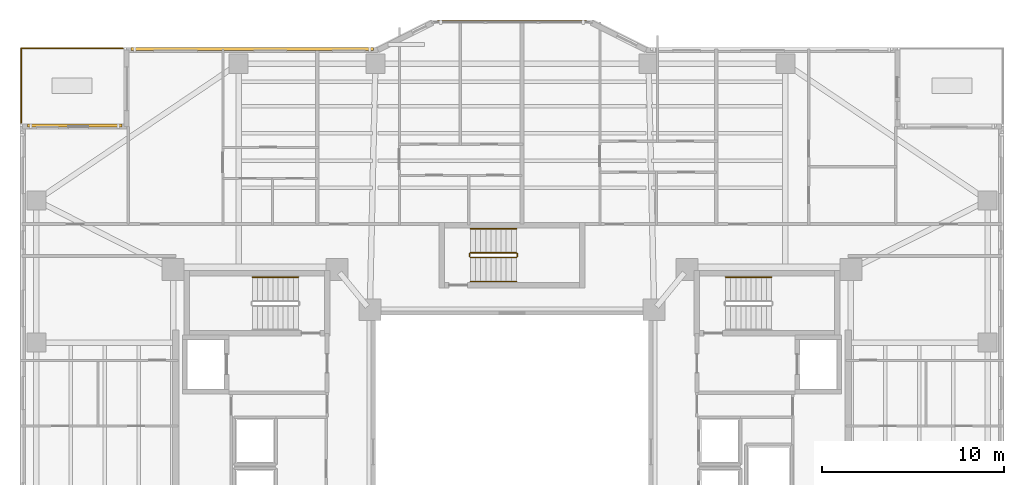
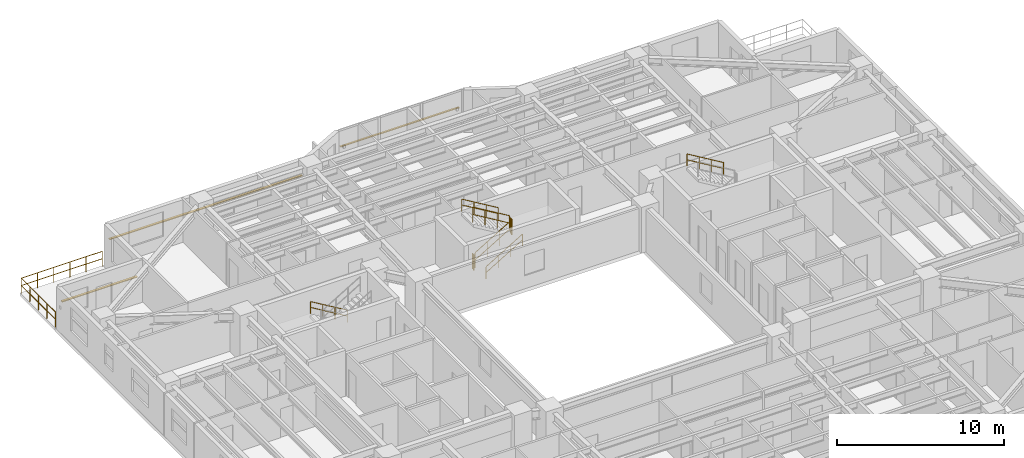
# One storey, part 18 of 19: 10 railings, 3 shading devices.
"""IFC4 building model written with IfcOpenShell, lengths in metres."""

from ifc_helpers import new_model, si_unit, direction, frame, origin, origin_2d, place, context, subcontext, project, spatial, rectangle, circle, extrude, material, material_profile, profile_set, type_object, element, save


model = new_model("IFC4")

# Units and contexts
model_context = context("Model", 3, precision=1e-05, world=origin(), true_north=direction((0.0, 1.0)))
body_context = subcontext(model_context, "Body", "Model", "MODEL_VIEW")
ifc_project = project(units=[si_unit("LENGTHUNIT", "METRE"), si_unit("AREAUNIT", "SQUARE_METRE"), si_unit("VOLUMEUNIT", "CUBIC_METRE"), si_unit("PLANEANGLEUNIT", "RADIAN"), si_unit("MASSUNIT", "GRAM", prefix="KILO")], contexts=[model_context])

# Site, building, storey
site_placement = place(None, origin())
site = spatial("IfcSite", under=ifc_project, at=site_placement, CompositionType="ELEMENT")
building_placement = place(site_placement, origin())
building = spatial("IfcBuilding", under=site, at=building_placement, Name="Tarnavaz Court Tower", CompositionType="ELEMENT")
storey_placement = place(building_placement, frame((0.0, 0.0, 78.300048828125)))
storey = spatial("IfcBuildingStorey", under=building, at=storey_placement, Name="L20", CompositionType="ELEMENT", Elevation=78.300048828125)

# Railings
ifc_material_1 = material(Name="Anodised Aluminium 6063-T6 and Laminated Safety Glass", Category="aluminium")
railing_type_1 = type_object("IfcRailingType", Name="RL-BAL-1120", PredefinedType="BALUSTRADE", material=ifc_material_1)
railing_1_placement = place(storey_placement, frame((-21.360107421875, 22.139892578125, 0.0)))
element("IfcRailing", 1, at=railing_1_placement, inside=storey, type_object=railing_type_1, Name="L20 Terrace 2 N Perimeter Balustrade", PredefinedType="BALUSTRADE", context=body_context, shape_type="SweptSolid", body=[
    extrude(circle(Radius=0.02392578125, at=origin_2d()), frame((0.0, 0.0, 1.09619140625), z_axis=(-1.0, 0.0, 0.0), x_axis=(0.0, -1.0, 0.0)), (0.0, 0.0, 1.0), 5.579833984375),
    extrude(circle(Radius=0.02392578125, at=origin_2d()), frame((0.0, 0.0, 0.56005859375), z_axis=(-1.0, 0.0, 0.0), x_axis=(0.0, -1.0, 0.0)), (0.0, 0.0, 1.0), 5.579833984375),
    extrude(circle(Radius=0.02099609375, at=origin_2d()), origin(), (0.0, 0.0, 1.0), 1.072021484375),
    extrude(circle(Radius=0.02099609375, at=origin_2d()), frame((-1.115966796875, 0.0, 0.0)), (0.0, 0.0, 1.0), 1.072021484375),
    extrude(circle(Radius=0.02099609375, at=origin_2d()), frame((-2.23193359375, 0.0, 0.0)), (0.0, 0.0, 1.0), 1.072021484375),
    extrude(circle(Radius=0.02099609375, at=origin_2d()), frame((-3.347900390625, 0.0, 0.0)), (0.0, 0.0, 1.0), 1.072021484375),
    extrude(circle(Radius=0.02099609375, at=origin_2d()), frame((-4.4638671875, 0.0, 0.0)), (0.0, 0.0, 1.0), 1.072021484375),
    extrude(circle(Radius=0.02099609375, at=origin_2d()), frame((-5.579833984375, 0.0, 0.0)), (0.0, 0.0, 1.0), 1.072021484375),
])
railing_2_placement = place(storey_placement, frame((-26.93994140625, 22.139892578125, 0.0)))
element("IfcRailing", 2, at=railing_2_placement, inside=storey, type_object=railing_type_1, Name="L20 Terrace 2 W Perimeter Balustrade", PredefinedType="BALUSTRADE", context=body_context, shape_type="SweptSolid", body=[
    extrude(circle(Radius=0.02392578125, at=origin_2d()), frame((0.0, 0.0, 1.09619140625), z_axis=(0.0, -1.0, 0.0), x_axis=(1.0, 0.0, 0.0)), (0.0, 0.0, 1.0), 4.079833984375),
    extrude(circle(Radius=0.02392578125, at=origin_2d()), frame((0.0, 0.0, 0.56005859375), z_axis=(0.0, -1.0, 0.0), x_axis=(1.0, 0.0, 0.0)), (0.0, 0.0, 1.0), 4.079833984375),
    extrude(circle(Radius=0.02099609375, at=origin_2d()), origin(), (0.0, 0.0, 1.0), 1.072021484375),
    extrude(circle(Radius=0.02099609375, at=origin_2d()), frame((0.0, -1.02001953125, 0.0)), (0.0, 0.0, 1.0), 1.072021484375),
    extrude(circle(Radius=0.02099609375, at=origin_2d()), frame((0.0, -2.0400390625, 0.0)), (0.0, 0.0, 1.0), 1.072021484375),
    extrude(circle(Radius=0.02099609375, at=origin_2d()), frame((0.0, -3.059814453125, 0.0)), (0.0, 0.0, 1.0), 1.072021484375),
    extrude(circle(Radius=0.02099609375, at=origin_2d()), frame((0.0, -4.079833984375, 0.0)), (0.0, 0.0, 1.0), 1.072021484375),
])
ifc_material_2 = material(Name="Brushed Stainless Steel", Category="steel")
railing_type_2 = type_object("IfcRailingType", Name="RL-HANDRAIL-900", PredefinedType="HANDRAIL", material=ifc_material_2)
railing_3_placement = place(storey_placement, frame((-11.719970703125, 9.590087890625, 0.16748046875)))
element("IfcRailing", 3, at=railing_3_placement, inside=storey, type_object=railing_type_2, Name="L20 ST-W1 stair handrail 1", PredefinedType="HANDRAIL", context=body_context, shape_type="SweptSolid", body=[
    extrude(circle(Radius=0.02392578125, at=origin_2d()), frame((0.0, 0.0, 0.8759765625), z_axis=(-0.858159760407, 0.0, 0.513382728203), x_axis=(0.0, -1.0, 0.0)), (0.0, 0.0, 1.0), 2.9365234375),
    extrude(circle(Radius=0.02392578125, at=origin_2d()), frame((0.0, 0.0, 0.449951171875), z_axis=(-0.858159760407, 0.0, 0.513382728203), x_axis=(0.0, -1.0, 0.0)), (0.0, 0.0, 1.0), 2.9365234375),
    extrude(circle(Radius=0.02099609375, at=origin_2d()), origin(), (0.0, 0.0, 1.0), 0.851806640625),
    extrude(circle(Radius=0.02099609375, at=origin_2d()), frame((-0.840087890625, 0.0, 0.50244140625)), (0.0, 0.0, 1.0), 0.851806640625),
    extrude(circle(Radius=0.02099609375, at=origin_2d()), frame((-1.679931640625, 0.0, 1.005126953125)), (0.0, 0.0, 1.0), 0.851806640625),
    extrude(circle(Radius=0.02099609375, at=origin_2d()), frame((-2.52001953125, 0.0, 1.507568359375)), (0.0, 0.0, 1.0), 0.851806640625),
])
railing_4_placement = place(storey_placement, frame((14.239990234375, 9.590087890625, 1.842529296875)))
element("IfcRailing", 4, at=railing_4_placement, inside=storey, type_object=railing_type_2, Name="L20 ST-E1 stair handrail 2", PredefinedType="HANDRAIL", context=body_context, shape_type="SweptSolid", body=[
    extrude(circle(Radius=0.02392578125, at=origin_2d()), frame((0.0, 0.0, 0.8759765625), z_axis=(-0.858196387827, 0.0, 0.513321497621), x_axis=(0.0, -1.0, 0.0)), (0.0, 0.0, 1.0), 2.9365234375),
    extrude(circle(Radius=0.02392578125, at=origin_2d()), frame((0.0, 0.0, 0.449951171875), z_axis=(-0.858196387827, 0.0, 0.513321497621), x_axis=(0.0, -1.0, 0.0)), (0.0, 0.0, 1.0), 2.9365234375),
    extrude(circle(Radius=0.02099609375, at=origin_2d()), origin(), (0.0, 0.0, 1.0), 0.851806640625),
    extrude(circle(Radius=0.02099609375, at=origin_2d()), frame((-0.840087890625, 0.0, 0.50244140625)), (0.0, 0.0, 1.0), 0.851806640625),
    extrude(circle(Radius=0.02099609375, at=origin_2d()), frame((-1.679931640625, 0.0, 1.0048828125)), (0.0, 0.0, 1.0), 0.851806640625),
    extrude(circle(Radius=0.02099609375, at=origin_2d()), frame((-2.52001953125, 0.0, 1.50732421875)), (0.0, 0.0, 1.0), 0.851806640625),
])
railing_5_placement = place(storey_placement, frame((-2.280029296875, 9.35009765625, 0.16748046875)))
element("IfcRailing", 5, at=railing_5_placement, inside=storey, type_object=railing_type_2, Name="L20 ST-N1 stair handrail 1", PredefinedType="HANDRAIL", context=body_context, shape_type="SweptSolid", body=[
    extrude(circle(Radius=0.02392578125, at=origin_2d()), frame((0.0, 0.0, 0.8759765625), z_axis=(0.858159760407, 0.0, 0.513382728203), x_axis=(0.0, 1.0, 0.0)), (0.0, 0.0, 1.0), 2.9365234375),
    extrude(circle(Radius=0.02392578125, at=origin_2d()), frame((0.0, 0.0, 0.449951171875), z_axis=(0.858159760407, 0.0, 0.513382728203), x_axis=(0.0, 1.0, 0.0)), (0.0, 0.0, 1.0), 2.9365234375),
    extrude(circle(Radius=0.02099609375, at=origin_2d()), origin(), (0.0, 0.0, 1.0), 0.851806640625),
    extrude(circle(Radius=0.02099609375, at=origin_2d()), frame((0.840087890625, 0.0, 0.50244140625)), (0.0, 0.0, 1.0), 0.851806640625),
    extrude(circle(Radius=0.02099609375, at=origin_2d()), frame((1.679931640625, 0.0, 1.005126953125)), (0.0, 0.0, 1.0), 0.851806640625),
    extrude(circle(Radius=0.02099609375, at=origin_2d()), frame((2.52001953125, 0.0, 1.507568359375)), (0.0, 0.0, 1.0), 0.851806640625),
])
railing_6_placement = place(storey_placement, frame((0.239990234375, 12.239990234375, 1.842529296875)))
element("IfcRailing", 6, at=railing_6_placement, inside=storey, type_object=railing_type_2, Name="L20 ST-N1 stair handrail 2", PredefinedType="HANDRAIL", context=body_context, shape_type="SweptSolid", body=[
    extrude(circle(Radius=0.02392578125, at=origin_2d()), frame((0.0, 0.0, 0.8759765625), z_axis=(-0.858196387827, 0.0, 0.513321497621), x_axis=(0.0, -1.0, 0.0)), (0.0, 0.0, 1.0), 2.9365234375),
    extrude(circle(Radius=0.02392578125, at=origin_2d()), frame((0.0, 0.0, 0.449951171875), z_axis=(-0.858196387827, 0.0, 0.513321497621), x_axis=(0.0, -1.0, 0.0)), (0.0, 0.0, 1.0), 2.9365234375),
    extrude(circle(Radius=0.02099609375, at=origin_2d()), origin(), (0.0, 0.0, 1.0), 0.851806640625),
    extrude(circle(Radius=0.02099609375, at=origin_2d()), frame((-0.840087890625, 0.0, 0.50244140625)), (0.0, 0.0, 1.0), 0.851806640625),
    extrude(circle(Radius=0.02099609375, at=origin_2d()), frame((-1.679931640625, 0.0, 1.0048828125)), (0.0, 0.0, 1.0), 0.851806640625),
    extrude(circle(Radius=0.02099609375, at=origin_2d()), frame((-2.52001953125, 0.0, 1.50732421875)), (0.0, 0.0, 1.0), 0.851806640625),
])
ifc_material_3 = material(Name="Galvanized Painted Tubular Steel", Category="steel")
railing_type_3 = type_object("IfcRailingType", Name="RL-STGUARD-1120", PredefinedType="GUARDRAIL", material=ifc_material_3)
railing_7_placement = place(storey_placement, frame((-2.280029296875, 10.669921875, 0.16748046875)))
element("IfcRailing", 7, at=railing_7_placement, inside=storey, type_object=railing_type_3, Name="L20 ST-N1 stair guard 1", PredefinedType="GUARDRAIL", context=body_context, shape_type="SweptSolid", body=[
    extrude(circle(Radius=0.02392578125, at=origin_2d()), frame((0.0, 0.0, 1.09619140625), z_axis=(0.858159760407, 0.0, 0.513382728203), x_axis=(0.0, 1.0, 0.0)), (0.0, 0.0, 1.0), 2.9365234375),
    extrude(circle(Radius=0.02392578125, at=origin_2d()), frame((0.0, 0.0, 0.56005859375), z_axis=(0.858159760407, 0.0, 0.513382728203), x_axis=(0.0, 1.0, 0.0)), (0.0, 0.0, 1.0), 2.9365234375),
    extrude(circle(Radius=0.02099609375, at=origin_2d()), origin(), (0.0, 0.0, 1.0), 1.072021484375),
    extrude(circle(Radius=0.02099609375, at=origin_2d()), frame((0.840087890625, 0.0, 0.50244140625)), (0.0, 0.0, 1.0), 1.072021484375),
    extrude(circle(Radius=0.02099609375, at=origin_2d()), frame((1.679931640625, 0.0, 1.005126953125)), (0.0, 0.0, 1.0), 1.072021484375),
    extrude(circle(Radius=0.02099609375, at=origin_2d()), frame((2.52001953125, 0.0, 1.507568359375)), (0.0, 0.0, 1.0), 1.072021484375),
])
railing_8_placement = place(storey_placement, frame((0.2900390625, 10.719970703125, 1.675048828125)))
element("IfcRailing", 8, at=railing_8_placement, inside=storey, type_object=railing_type_3, Name="L20 ST-N1 stair guard 2", PredefinedType="GUARDRAIL", context=body_context, shape_type="SweptSolid", body=[
    extrude(circle(Radius=0.02392578125, at=origin_2d()), frame((0.0, 0.0, 1.09619140625), z_axis=(0.0, 1.0, 0.0), x_axis=(-1.0, 0.0, 0.0)), (0.0, 0.0, 1.0), 0.150146484375),
    extrude(circle(Radius=0.02392578125, at=origin_2d()), frame((0.0, 0.0, 0.56005859375), z_axis=(0.0, 1.0, 0.0), x_axis=(-1.0, 0.0, 0.0)), (0.0, 0.0, 1.0), 0.150146484375),
    extrude(circle(Radius=0.02099609375, at=origin_2d()), origin(), (0.0, 0.0, 1.0), 1.072021484375),
    extrude(circle(Radius=0.02099609375, at=origin_2d()), frame((0.0, 0.150146484375, 0.0)), (0.0, 0.0, 1.0), 1.072021484375),
])
railing_9_placement = place(storey_placement, frame((0.239990234375, 10.919921875, 1.842529296875)))
element("IfcRailing", 9, at=railing_9_placement, inside=storey, type_object=railing_type_3, Name="L20 ST-N1 stair guard 3", PredefinedType="GUARDRAIL", context=body_context, shape_type="SweptSolid", body=[
    extrude(circle(Radius=0.02392578125, at=origin_2d()), frame((0.0, 0.0, 1.09619140625), z_axis=(-0.858196387827, 0.0, 0.513321497621), x_axis=(0.0, -1.0, 0.0)), (0.0, 0.0, 1.0), 2.9365234375),
    extrude(circle(Radius=0.02392578125, at=origin_2d()), frame((0.0, 0.0, 0.56005859375), z_axis=(-0.858196387827, 0.0, 0.513321497621), x_axis=(0.0, -1.0, 0.0)), (0.0, 0.0, 1.0), 2.9365234375),
    extrude(circle(Radius=0.02099609375, at=origin_2d()), origin(), (0.0, 0.0, 1.0), 1.072021484375),
    extrude(circle(Radius=0.02099609375, at=origin_2d()), frame((-0.840087890625, 0.0, 0.50244140625)), (0.0, 0.0, 1.0), 1.072021484375),
    extrude(circle(Radius=0.02099609375, at=origin_2d()), frame((-1.679931640625, 0.0, 1.0048828125)), (0.0, 0.0, 1.0), 1.072021484375),
    extrude(circle(Radius=0.02099609375, at=origin_2d()), frame((-2.52001953125, 0.0, 1.50732421875)), (0.0, 0.0, 1.0), 1.072021484375),
])
railing_10_placement = place(storey_placement, frame((-2.330078125, 10.719970703125, 0.0)))
element("IfcRailing", 10, at=railing_10_placement, inside=storey, type_object=railing_type_3, Name="L20 ST-N1 stair guard 4", PredefinedType="GUARDRAIL", context=body_context, shape_type="SweptSolid", body=[
    extrude(circle(Radius=0.02392578125, at=origin_2d()), frame((0.0, 0.0, 1.09619140625), z_axis=(0.0, 1.0, 0.0), x_axis=(-1.0, 0.0, 0.0)), (0.0, 0.0, 1.0), 0.150146484375),
    extrude(circle(Radius=0.02392578125, at=origin_2d()), frame((0.0, 0.0, 0.56005859375), z_axis=(0.0, 1.0, 0.0), x_axis=(-1.0, 0.0, 0.0)), (0.0, 0.0, 1.0), 0.150146484375),
    extrude(circle(Radius=0.02099609375, at=origin_2d()), origin(), (0.0, 0.0, 1.0), 1.072021484375),
    extrude(circle(Radius=0.02099609375, at=origin_2d()), frame((0.0, 0.150146484375, 0.0)), (0.0, 0.0, 1.0), 1.072021484375),
])

# Shading devices
ifc_material_4 = material(Name="Kiln-Fired Khorasan Terracotta Ceramic", Category="masonry")
ifc_material_profile_1 = material_profile(ifc_material_4, rectangle(XDim=0.1201171875, YDim=0.06005859375, at=origin_2d()), Name="TC BAGUETTE 120X60")
ifc_profile_set_1 = profile_set([ifc_material_profile_1], Name="Kiln-Fired Khorasan Terracotta Ceramic")
shading_device_type_1 = type_object("IfcShadingDeviceType", Name="SD-BAG-120", PredefinedType="USERDEFINED", material=ifc_profile_set_1)
shading_device_1_placement = place(storey_placement, frame((-4.10009765625, 23.610107421875, 1.800048828125), z_axis=(1.0, 0.0, 0.0), x_axis=(0.0, 1.0, 0.0)))
element("IfcShadingDevice", 11, at=shading_device_1_placement, inside=storey, type_object=shading_device_type_1, Name="L20 Terracotta Baguette Screen PBG7", ObjectType="BAGUETTE", PredefinedType="USERDEFINED", context=body_context, shape_type="SweptSolid", body=[
    extrude(rectangle(XDim=0.1201171875, YDim=0.06005859375, at=origin_2d()), origin(), (0.0, 0.0, 1.0), 8.2001953125),
])
ifc_material_profile_2 = material_profile(ifc_material_4, rectangle(XDim=0.14990234375, YDim=0.06494140625, at=origin_2d()), Name="TC BAGUETTE 150X65")
ifc_profile_set_2 = profile_set([ifc_material_profile_2], Name="Kiln-Fired Khorasan Terracotta Ceramic")
shading_device_type_2 = type_object("IfcShadingDeviceType", Name="SD-BAG-150", PredefinedType="USERDEFINED", material=ifc_profile_set_2)
shading_device_2_placement = place(storey_placement, frame((-26.60009765625, 17.909912109375, 1.849853515625), z_axis=(1.0, 0.0, 0.0), x_axis=(0.0, 1.0, 0.0)))
element("IfcShadingDevice", 12, at=shading_device_2_placement, inside=storey, type_object=shading_device_type_2, Name="L20 Terracotta Baguette Screen FBG03", ObjectType="BAGUETTE", PredefinedType="USERDEFINED", context=body_context, shape_type="SweptSolid", body=[
    extrude(rectangle(XDim=0.14990234375, YDim=0.06494140625, at=origin_2d()), origin(), (0.0, 0.0, 1.0), 5.2001953125),
])
shading_device_3_placement = place(storey_placement, frame((-20.89990234375, 22.110107421875, 1.849853515625), z_axis=(1.0, 0.0, 0.0), x_axis=(0.0, 1.0, 0.0)))
element("IfcShadingDevice", 13, at=shading_device_3_placement, inside=storey, type_object=shading_device_type_2, Name="L20 Terracotta Baguette Screen FBG05", ObjectType="BAGUETTE", PredefinedType="USERDEFINED", context=body_context, shape_type="SweptSolid", body=[
    extrude(rectangle(XDim=0.14990234375, YDim=0.06494140625, at=origin_2d()), origin(), (0.0, 0.0, 1.0), 13.2998046875),
])

save(model, "model.ifc")
